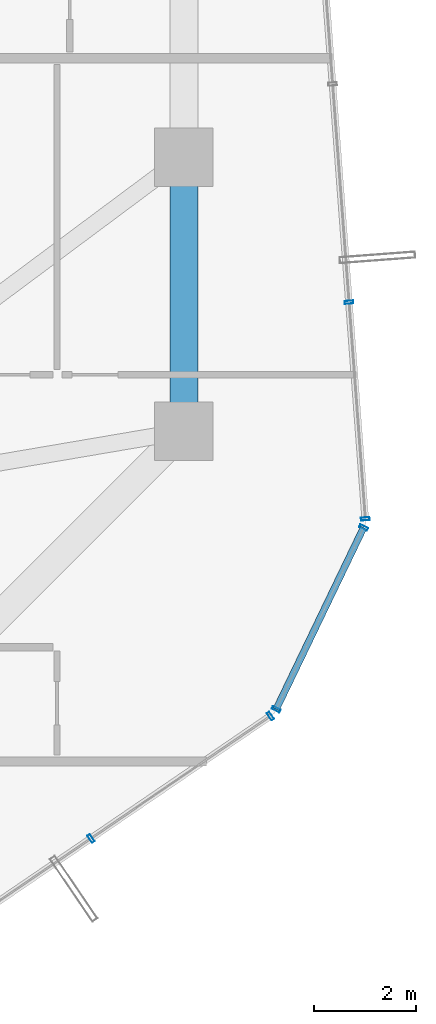
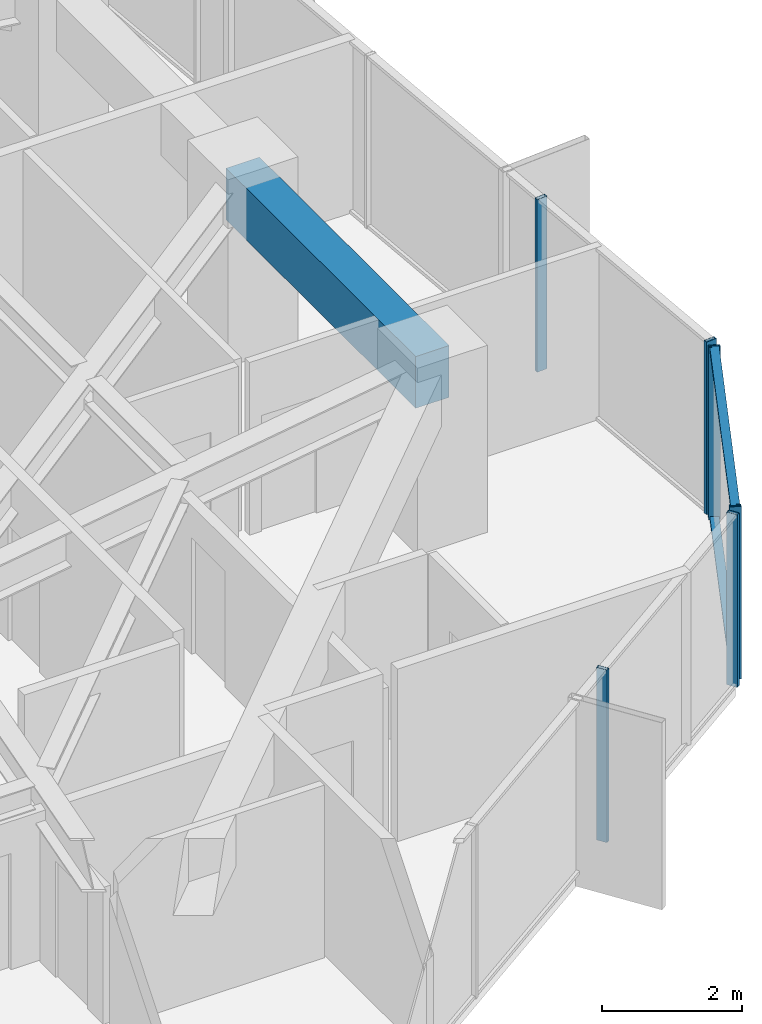
# One storey, part 16 of 35: 8 members, 1 beam, 3 elements without a shape of their own.
"""IFC4 building model written with IfcOpenShell, lengths in metres."""

import ifcopenshell
import ifcopenshell.guid

model = None  # the IFC model being written
_history = None  # IfcOwnerHistory: only IFC2X3 demands one
_inside = {}  # id of a spatial element -> (the spatial element, [elements in it])
_under = {}  # id of a project, library or spatial element -> (it, [spatial elements below it])
_declared = {}  # id of a project -> (the project, [libraries it declares])
_typed = {}  # id of a type object -> (the type object, [elements of that type])
_made_of = {}  # id of a material, layer set ... -> (it, [elements and type objects made of it])


def new_model(schema):
    """Start an empty IFC model of exactly this schema.

    Asked for "IFC4X3", IfcOpenShell would pick the latest addendum, in which some entities
    have other attributes; the version numbers below select the first issue.
    IFC2X3 requires an IfcOwnerHistory on every rooted entity: one is made here for all.
    """
    global model, _history
    if schema == "IFC4X3":
        model = ifcopenshell.file(schema_version=(4, 3, 0, 0))
    else:
        model = ifcopenshell.file(schema=schema)
    _inside.clear()
    _under.clear()
    _declared.clear()
    _typed.clear()
    _made_of.clear()
    _history = None
    if model.schema == "IFC2X3":
        org = make("IfcOrganization", Name="unknown")
        user = make(
            "IfcPersonAndOrganization",
            ThePerson=make("IfcPerson", FamilyName="unknown"),
            TheOrganization=org,
        )
        app = make(
            "IfcApplication",
            ApplicationDeveloper=org,
            Version="unknown",
            ApplicationFullName="unknown",
            ApplicationIdentifier="unknown",
        )
        _history = make(
            "IfcOwnerHistory",
            OwningUser=user,
            OwningApplication=app,
            ChangeAction="ADDED",
            CreationDate=0,
        )
    return model


def make(cls, **values):
    """One entity of the class cls with the attributes given. An attribute that is None is left unset."""
    return model.create_entity(
        cls, **{name: value for name, value in values.items() if value is not None}
    )


def rooted(cls, **values):
    """An entity with a GlobalId (a new one), such as an element, a storey or a relation."""
    return make(cls, GlobalId=ifcopenshell.guid.new(), OwnerHistory=_history, **values)


def si_unit(unit_type, name, prefix=None):
    """IfcSIUnit, for example si_unit("LENGTHUNIT", "METRE", prefix="MILLI")."""
    return make("IfcSIUnit", UnitType=unit_type, Prefix=prefix, Name=name)


def assignment(units):
    """IfcUnitAssignment: the units of a project."""
    return None if units is None else make("IfcUnitAssignment", Units=units)


def point(xyz):
    """IfcCartesianPoint."""
    return None if xyz is None else make("IfcCartesianPoint", Coordinates=xyz)


def direction(xyz):
    """IfcDirection."""
    return None if xyz is None else make("IfcDirection", DirectionRatios=xyz)


def frame(location, z_axis=None, x_axis=None):
    """IfcAxis2Placement3D, a coordinate frame: its origin and axes. An axis left out is left unset."""
    return make(
        "IfcAxis2Placement3D",
        Location=point(location),
        Axis=direction(z_axis),
        RefDirection=direction(x_axis),
    )


def frame_2d(location, x_axis=None):
    """IfcAxis2Placement2D, a coordinate frame in the plane: its origin and x axis."""
    return make(
        "IfcAxis2Placement2D", Location=point(location), RefDirection=direction(x_axis)
    )


def origin():
    """The frame at (0, 0, 0) with its axes left unset."""
    return frame((0.0, 0.0, 0.0))


def origin_2d():
    """The frame at (0, 0) in the plane with its x axis left unset."""
    return frame_2d((0.0, 0.0))


def place(relative_to, where):
    """IfcLocalPlacement: puts the frame where relative to a parent placement (None: the world)."""
    return make(
        "IfcLocalPlacement", PlacementRelTo=relative_to, RelativePlacement=where
    )


def context(
    kind, dimensions, precision=None, world=None, true_north=None, identifier=None
):
    """IfcGeometricRepresentationContext, for example the 3D "Model" context."""
    return make(
        "IfcGeometricRepresentationContext",
        ContextIdentifier=identifier,
        ContextType=kind,
        CoordinateSpaceDimension=dimensions,
        Precision=precision,
        WorldCoordinateSystem=world,
        TrueNorth=true_north,
    )


def subcontext(parent, identifier, kind, view, scale=None):
    """IfcGeometricRepresentationSubContext, for example "Body" below "Model"."""
    return make(
        "IfcGeometricRepresentationSubContext",
        ContextIdentifier=identifier,
        ContextType=kind,
        ParentContext=parent,
        TargetScale=scale,
        TargetView=view,
    )


def project(units=None, contexts=None):
    """IfcProject with its units and contexts."""
    return rooted(
        "IfcProject",
        Name="project",
        RepresentationContexts=contexts,
        UnitsInContext=assignment(units),
    )


def spatial(cls, under=None, at=None, **own):
    """A site, building, storey or space (cls), placed at a placement, below another one or the project."""
    s = rooted(cls, ObjectPlacement=at, **own)
    if under is not None:
        _under.setdefault(under.id(), (under, []))[1].append(s)
    return s


def profile(cls, at=None, kind="AREA", **sizes):
    """A parametric profile (cls). Its sizes go by their IFC names, for example OverallWidth=200.0."""
    return make(cls, ProfileType=kind, Position=at, **sizes)


def rectangle(**sizes):
    """IfcRectangleProfileDef."""
    return profile("IfcRectangleProfileDef", **sizes)


def hollow_rectangle(**sizes):
    """IfcRectangleHollowProfileDef."""
    return profile("IfcRectangleHollowProfileDef", **sizes)


def extrude(swept, where, along, depth):
    """IfcExtrudedAreaSolid: the profile swept, set in the frame where, extruded along a direction by depth."""
    return make(
        "IfcExtrudedAreaSolid",
        SweptArea=swept,
        Position=where,
        ExtrudedDirection=direction(along),
        Depth=depth,
    )


def shape(context_of_items, identifier, shape_type, items):
    """IfcShapeRepresentation: the items that make up one representation, for example the "Body"."""
    return make(
        "IfcShapeRepresentation",
        ContextOfItems=context_of_items,
        RepresentationIdentifier=identifier,
        RepresentationType=shape_type,
        Items=items,
    )


def source(mapping_origin, context_of_items, identifier, shape_type, items):
    """IfcRepresentationMap: a shape defined once, which mapped items show again and again."""
    return make(
        "IfcRepresentationMap",
        MappingOrigin=mapping_origin,
        MappedRepresentation=shape(context_of_items, identifier, shape_type, items),
    )


def transform(
    local_origin,
    x_axis=None,
    y_axis=None,
    z_axis=None,
    scale=None,
    scale2=None,
    scale3=None,
    uniform=True,
):
    """IfcCartesianTransformationOperator3D, or its non-uniform kind. x_axis, y_axis, z_axis: its Axis1, 2, 3."""
    if uniform:
        return make(
            "IfcCartesianTransformationOperator3D",
            Axis1=direction(x_axis),
            Axis2=direction(y_axis),
            LocalOrigin=point(local_origin),
            Scale=scale,
            Axis3=direction(z_axis),
        )
    return make(
        "IfcCartesianTransformationOperator3DnonUniform",
        Axis1=direction(x_axis),
        Axis2=direction(y_axis),
        LocalOrigin=point(local_origin),
        Scale=scale,
        Axis3=direction(z_axis),
        Scale2=scale2,
        Scale3=scale3,
    )


def mapped(mapping_source, mapping_target):
    """IfcMappedItem: shows the shape of a source again, moved by a transform."""
    return make(
        "IfcMappedItem", MappingSource=mapping_source, MappingTarget=mapping_target
    )


def material(Name=None, Category=None):
    """IfcMaterial."""
    return make("IfcMaterial", Name=Name, Category=Category)


def layer(
    of_material, thickness, ventilated=None, Name=None, Category=None, Priority=None
):
    """IfcMaterialLayer: one layer of a wall or slab, of a material (None: an air gap)."""
    return make(
        "IfcMaterialLayer",
        Material=of_material,
        LayerThickness=thickness,
        IsVentilated=ventilated,
        Name=Name,
        Category=Category,
        Priority=Priority,
    )


def layer_set(layers, Name=None):
    """IfcMaterialLayerSet."""
    return make("IfcMaterialLayerSet", MaterialLayers=layers, LayerSetName=Name)


def material_profile(
    of_material, cross_section, Name=None, Category=None, Priority=None
):
    """IfcMaterialProfile: a cross section and its material."""
    return make(
        "IfcMaterialProfile",
        Name=Name,
        Material=of_material,
        Profile=cross_section,
        Priority=Priority,
        Category=Category,
    )


def profile_set(profiles, Name=None, composite=None):
    """IfcMaterialProfileSet."""
    return make(
        "IfcMaterialProfileSet",
        Name=Name,
        MaterialProfiles=profiles,
        CompositeProfile=composite,
    )


def made_of(thing, what):
    """Note that an element or type object is made of a material, layer set ...; save() writes the relation."""
    if what is not None:
        _made_of.setdefault(what.id(), (what, []))[1].append(thing)
    return thing


def type_object(cls, material=None, **own):
    """A type object (cls), such as IfcWallType, which elements share."""
    return made_of(rooted(cls, **own), material)


def element(
    cls,
    number,
    at=None,
    inside=None,
    cuts=None,
    type_object=None,
    material=None,
    context=None,
    identifier="Body",
    shape_type=None,
    held_by="IfcProductDefinitionShape",
    body=None,
    shapes=None,
    **own,
):
    """One element of the class cls, such as IfcWall. Its Tag is "e" and its number.

    at: its placement. inside: the storey or other place that contains it. cuts: it is an
    opening in that element (IfcRelVoidsElement). A single representation is given by context,
    identifier, shape_type and body (its items); several are given by shapes. held_by: the class
    of the entity that holds the representations. save() writes the other relations.
    """
    e = rooted(cls, Tag="e%d" % number, ObjectPlacement=at, **own)
    if body is not None:
        shapes = [shape(context, identifier, shape_type, body)]
    if shapes is not None:
        e.Representation = make(held_by, Representations=shapes)
    if inside is not None:
        _inside.setdefault(inside.id(), (inside, []))[1].append(e)
    if cuts is not None:
        rooted(
            "IfcRelVoidsElement", RelatingBuildingElement=cuts, RelatedOpeningElement=e
        )
    if type_object is not None:
        _typed.setdefault(type_object.id(), (type_object, []))[1].append(e)
    return made_of(e, material)


def aggregate(whole, parts):
    """IfcRelAggregates: a whole, such as a stair, and the parts it consists of."""
    return rooted("IfcRelAggregates", RelatingObject=whole, RelatedObjects=parts)


def save(model, path):
    """Write the relations noted so far, then the file.

    IfcRelAggregates (storeys below a building ...), IfcRelContainedInSpatialStructure (elements
    in a storey), IfcRelDefinesByType, IfcRelAssociatesMaterial and IfcRelDeclares: one each for
    every whole, place, type object, material and project.
    """
    for whole, parts in _under.values():
        aggregate(whole, parts)
    for where, things in _inside.values():
        rooted(
            "IfcRelContainedInSpatialStructure",
            RelatedElements=things,
            RelatingStructure=where,
        )
    for kind, things in _typed.values():
        rooted("IfcRelDefinesByType", RelatedObjects=things, RelatingType=kind)
    for what, things in _made_of.values():
        rooted("IfcRelAssociatesMaterial", RelatedObjects=things, RelatingMaterial=what)
    for by, libraries in _declared.values():
        rooted("IfcRelDeclares", RelatingContext=by, RelatedDefinitions=libraries)
    model.write(path)


model = new_model("IFC4")

# Units and contexts
model_context = context("Model", 3, precision=1e-05, world=origin(), true_north=direction((0.0, 1.0)))
body_context = subcontext(model_context, "Body", "Model", "MODEL_VIEW")
ifc_project = project(units=[si_unit("LENGTHUNIT", "METRE"), si_unit("AREAUNIT", "SQUARE_METRE"), si_unit("VOLUMEUNIT", "CUBIC_METRE"), si_unit("PLANEANGLEUNIT", "RADIAN"), si_unit("MASSUNIT", "GRAM", prefix="KILO")], contexts=[model_context])

# Site, building, storey
site_placement = place(None, origin())
site = spatial("IfcSite", under=ifc_project, at=site_placement, CompositionType="ELEMENT")
building_placement = place(site_placement, origin())
building = spatial("IfcBuilding", under=site, at=building_placement, Name="Veraguas Prism Commons", CompositionType="ELEMENT")
storey_placement = place(building_placement, frame((0.0, 0.0, 142.5)))
storey = spatial("IfcBuildingStorey", under=building, at=storey_placement, Name="L40", CompositionType="ELEMENT", Elevation=142.5)

# Beam
ifc_material_1 = material(Name="Concrete C50/60", Category="concrete")
ifc_material_profile_1 = material_profile(ifc_material_1, rectangle(XDim=0.550048828125, YDim=0.89990234375, at=origin_2d()), Name="RC550X900")
ifc_profile_set_1 = profile_set([ifc_material_profile_1], Name="Concrete C50/60")
beam_type = type_object("IfcBeamType", Name="Perimeter Spandrel Lower RC 550x900", PredefinedType="SPANDREL", material=ifc_profile_set_1)
beam_placement = place(storey_placement, frame((40.199951171875, 18.60009765625, 2.550048828125), z_axis=(0.0, 1.0, 0.0), x_axis=(-1.0, 0.0, 0.0)))
element("IfcBeam", 1, at=beam_placement, inside=storey, type_object=beam_type, Name="Perimeter Spandrel Beam L40-SP01", PredefinedType="SPANDREL", context=body_context, shape_type="SweptSolid", body=[
    extrude(rectangle(XDim=0.550048828125, YDim=0.89990234375, at=origin_2d()), origin(), (0.0, 0.0, 1.0), 5.39990234375),
])

# Curtain wall, members
ifc_material_2 = material(Name="Anodised aluminium EN AW-6063 T6", Category="aluminium")
ifc_layer = layer(ifc_material_2, 0.169921875, Name="Unitised Flush Curtain Wall Zone 2", Category="aluminium")
ifc_layer_set = layer_set([ifc_layer], Name="Anodised aluminium EN AW-6063 T6")
curtain_wall_type = type_object("IfcCurtainWallType", Name="Unitised Flush Curtain Wall Zone 2", PredefinedType="NOTDEFINED", material=ifc_layer_set)
curtain_wall_1_placement = place(storey_placement, origin())
curtain_wall_1 = element("IfcCurtainWall", 2, at=curtain_wall_1_placement, inside=storey, type_object=curtain_wall_type, Name="Tower Facade Curtain Wall L40-F5", PredefinedType="NOTDEFINED")
ifc_material_profile_2 = material_profile(ifc_material_2, hollow_rectangle(XDim=0.06005859375, YDim=0.169921875, WallThickness=0.00390625, at=origin_2d()), Name="AL60X170X4")
ifc_profile_set_2 = profile_set([ifc_material_profile_2], Name="Anodised aluminium EN AW-6063 T6")
member_type_1 = type_object("IfcMemberType", Name="Curtain Wall Mullion Lower AL 60x170x4", PredefinedType="MULLION", material=ifc_profile_set_2)
shared_shape_1 = source(origin(), body_context, "Body", "SweptSolid", [
    extrude(hollow_rectangle(XDim=0.06005859375, YDim=0.169921875, WallThickness=0.00390625, at=origin_2d()), origin(), (0.0, 0.0, 1.0), 3.0),
])
member_1_placement = place(storey_placement, frame((38.369140625, 10.581298828125, 0.0), z_axis=(0.0, 0.0, 1.0), x_axis=(0.826097310956, 0.56352749075, 0.0)))
member_1 = element("IfcMember", 3, at=member_1_placement, type_object=member_type_1, Name="CW-Z2 Mullion 4", PredefinedType="MULLION", context=body_context, shape_type="MappedRepresentation", body=[
    mapped(shared_shape_1, transform((0.0, 0.0, 0.0), scale=1.0)),
])
member_2_placement = place(storey_placement, frame((41.903564453125, 12.992431640625, 0.0), z_axis=(0.0, 0.0, 1.0), x_axis=(0.826097310956, 0.56352749075, 0.0)))
member_2 = element("IfcMember", 4, at=member_2_placement, type_object=member_type_1, Name="CW-Z2 Mullion 5", PredefinedType="MULLION", context=body_context, shape_type="MappedRepresentation", body=[
    mapped(shared_shape_1, transform((0.0, 0.0, 0.0), scale=1.0)),
])
aggregate(curtain_wall_1, [member_1, member_2])

curtain_wall_2_placement = place(storey_placement, origin())
curtain_wall_2 = element("IfcCurtainWall", 5, at=curtain_wall_2_placement, inside=storey, type_object=curtain_wall_type, Name="Tower Facade Curtain Wall L40-F6", PredefinedType="NOTDEFINED")
member_3_placement = place(storey_placement, frame((43.7724609375, 16.875244140625, 0.0), z_axis=(0.0, 0.0, 1.0), x_axis=(-0.074978726826, 0.997185133525, 0.0)))
member_3 = element("IfcMember", 6, at=member_3_placement, type_object=member_type_1, Name="CW-Z2 Mullion 1", PredefinedType="MULLION", context=body_context, shape_type="MappedRepresentation", body=[
    mapped(shared_shape_1, transform((0.0, 0.0, 0.0), scale=1.0)),
])
member_4_placement = place(storey_placement, frame((43.45166015625, 21.141845703125, 0.0), z_axis=(0.0, 0.0, 1.0), x_axis=(-0.074978726826, 0.997185133525, 0.0)))
member_4 = element("IfcMember", 7, at=member_4_placement, type_object=member_type_1, Name="CW-Z2 Mullion 2", PredefinedType="MULLION", context=body_context, shape_type="MappedRepresentation", body=[
    mapped(shared_shape_1, transform((0.0, 0.0, 0.0), scale=1.0)),
])
aggregate(curtain_wall_2, [member_3, member_4])

curtain_wall_3_placement = place(storey_placement, origin())
curtain_wall_3 = element("IfcCurtainWall", 8, at=curtain_wall_3_placement, inside=storey, type_object=curtain_wall_type, Name="Chamfer Curtain Wall L40-C6", PredefinedType="NOTDEFINED")
member_5_placement = place(storey_placement, frame((42.01708984375, 13.124267578125, 0.0), z_axis=(0.0, 0.0, 1.0), x_axis=(0.433684247236, 0.901064910925, 0.0)))
member_5 = element("IfcMember", 9, at=member_5_placement, type_object=member_type_1, Name="CW-Z2 Mullion 1", PredefinedType="MULLION", context=body_context, shape_type="MappedRepresentation", body=[
    mapped(shared_shape_1, transform((0.0, 0.0, 0.0), scale=1.0)),
])
member_6_placement = place(storey_placement, frame((43.739990234375, 16.704345703125, 0.0), z_axis=(0.0, 0.0, 1.0), x_axis=(0.433684247236, 0.901064910925, 0.0)))
member_6 = element("IfcMember", 10, at=member_6_placement, type_object=member_type_1, Name="CW-Z2 Mullion 2", PredefinedType="MULLION", context=body_context, shape_type="MappedRepresentation", body=[
    mapped(shared_shape_1, transform((0.0, 0.0, 0.0), scale=1.0)),
])
ifc_material_profile_3 = material_profile(ifc_material_2, hollow_rectangle(XDim=0.054931640625, YDim=0.135009765625, WallThickness=0.0029296875, at=origin_2d()), Name="AL55X135X3")
ifc_profile_set_3 = profile_set([ifc_material_profile_3], Name="Anodised aluminium EN AW-6063 T6")
member_type_2 = type_object("IfcMemberType", Name="Curtain Wall Transom Standard AL 55x135x3", PredefinedType="USERDEFINED", material=ifc_profile_set_3)
shared_shape_2 = source(origin(), body_context, "Body", "SweptSolid", [
    extrude(hollow_rectangle(XDim=0.054931640625, YDim=0.135009765625, WallThickness=0.0029296875, at=origin_2d()), origin(), (0.0, 0.0, 1.0), 3.97314453125),
])
member_7_placement = place(storey_placement, frame((42.01708984375, 13.124267578125, 0.027587890625), z_axis=(0.433643787058, 0.901084383366, 0.0), x_axis=(0.0, 0.0, 1.0)))
member_7 = element("IfcMember", 11, at=member_7_placement, type_object=member_type_2, Name="CW-Z2 Transom 1", ObjectType="TRANSOM", PredefinedType="USERDEFINED", context=body_context, shape_type="MappedRepresentation", body=[
    mapped(shared_shape_2, transform((0.0, 0.0, 0.0), scale=1.0)),
])
member_8_placement = place(storey_placement, frame((42.01708984375, 13.124267578125, 2.972412109375), z_axis=(0.433643787058, 0.901084383366, 0.0), x_axis=(0.0, 0.0, 1.0)))
member_8 = element("IfcMember", 12, at=member_8_placement, type_object=member_type_2, Name="CW-Z2 Transom 2", ObjectType="TRANSOM", PredefinedType="USERDEFINED", context=body_context, shape_type="MappedRepresentation", body=[
    mapped(shared_shape_2, transform((0.0, 0.0, 0.0), scale=1.0)),
])
aggregate(curtain_wall_3, [member_5, member_6, member_7, member_8])

save(model, "model.ifc")
